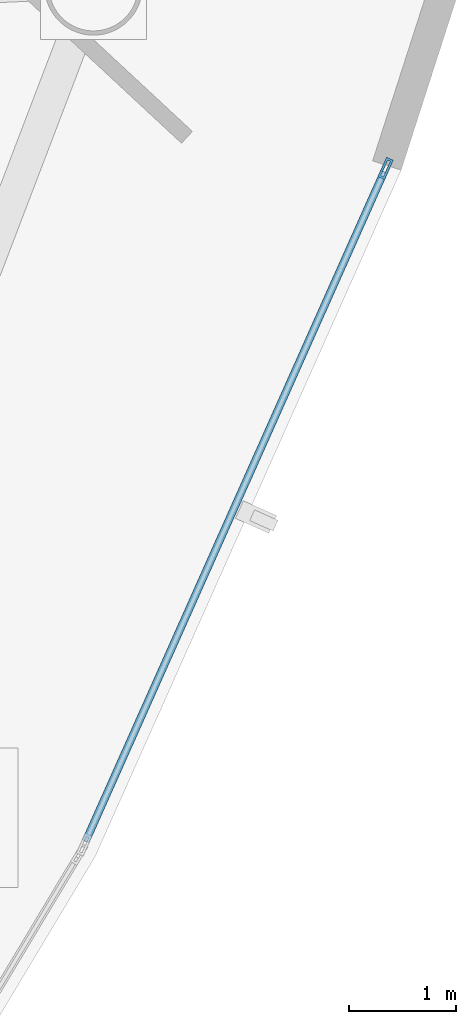
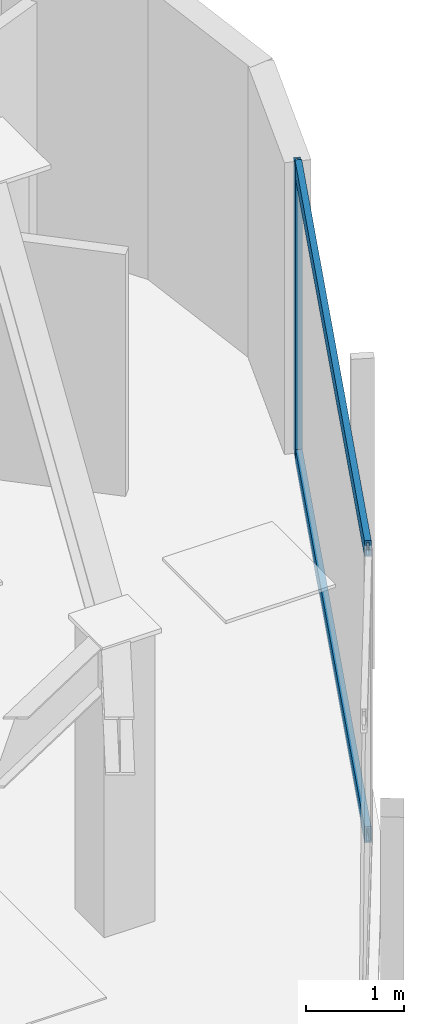
# One storey, part 5 of 13: 3 members, 1 element without a shape of its own.
"""IFC4 building model written with IfcOpenShell, lengths in metres."""

from ifc_helpers import new_model, si_unit, direction, frame, origin, origin_2d, place, context, subcontext, project, spatial, hollow_rectangle, extrude, source, transform, mapped, material, layer, layer_set, material_profile, profile_set, type_object, type_shapes, element, aggregate, save


model = new_model("IFC4")

# Units and contexts
model_context = context("Model", 3, precision=1e-05, world=origin(), true_north=direction((0.0, 1.0)))
body_context = subcontext(model_context, "Body", "Model", "MODEL_VIEW")
ifc_project = project(units=[si_unit("LENGTHUNIT", "METRE"), si_unit("AREAUNIT", "SQUARE_METRE"), si_unit("VOLUMEUNIT", "CUBIC_METRE"), si_unit("PLANEANGLEUNIT", "RADIAN"), si_unit("MASSUNIT", "GRAM", prefix="KILO")], contexts=[model_context])

# Site, building, storey
site_placement = place(None, origin())
site = spatial("IfcSite", under=ifc_project, at=site_placement, CompositionType="ELEMENT")
building_placement = place(site_placement, origin())
building = spatial("IfcBuilding", under=site, at=building_placement, Name="Tavelor Broadcast Tower", CompositionType="ELEMENT")
storey_placement = place(building_placement, frame((0.0, 0.0, 245.85009765625)))
storey = spatial("IfcBuildingStorey", under=building, at=storey_placement, Name="L58", CompositionType="ELEMENT", Elevation=245.85009765625)

# Curtain wall, members
ifc_material = material(Name="Architectural Anodized Aluminium", Category="aluminium")
ifc_layer = layer(ifc_material, 0.199951171875)
ifc_layer_set = layer_set([ifc_layer], Name="Architectural Anodized Aluminium")
curtain_wall_type = type_object("IfcCurtainWallType", Name="Tower High-Zone Triple-Glazed Curtain Wall CW04", PredefinedType="NOTDEFINED", material=ifc_layer_set)
curtain_wall_placement = place(storey_placement, origin())
curtain_wall = element("IfcCurtainWall", 1, at=curtain_wall_placement, inside=storey, type_object=curtain_wall_type, Name="L58 Curtain Wall CW04 Run 632", PredefinedType="NOTDEFINED")
ifc_material_profile_1 = material_profile(ifc_material, hollow_rectangle(XDim=0.070068359375, YDim=0.199951171875, WallThickness=0.02197265625, at=origin_2d()), Name="RHS 70x200x22")
ifc_profile_set_1 = profile_set([ifc_material_profile_1], Name="Architectural Anodized Aluminium")
member_type_1 = type_object("IfcMemberType", Name="CW04 Extruded Aluminium Mullion 70x200", PredefinedType="MULLION", material=ifc_profile_set_1)
shared_shape_1 = source(origin(), body_context, "Body", "SweptSolid", [
    extrude(hollow_rectangle(XDim=0.070068359375, YDim=0.199951171875, WallThickness=0.02197265625, at=origin_2d()), origin(), (0.0, 0.0, 1.0), 3.64990234375),
])
type_shapes(member_type_1, [shared_shape_1])
member_1_placement = place(storey_placement, frame((71.6474609375, 50.097412109375, 0.0), z_axis=(0.0, 0.0, 1.0), x_axis=(-0.913373033087, 0.407123694261, 0.0)))
member_1 = element("IfcMember", 2, at=member_1_placement, type_object=member_type_1, Name="CW04 mullion 2", PredefinedType="MULLION", context=body_context, shape_type="MappedRepresentation", body=[
    mapped(shared_shape_1, transform((0.0, 0.0, 0.0), scale=1.0)),
])
ifc_material_profile_2 = material_profile(ifc_material, hollow_rectangle(XDim=0.070068359375, YDim=0.199951171875, WallThickness=0.02197265625, at=origin_2d()), Name="RHS 70x200x22")
ifc_profile_set_2 = profile_set([ifc_material_profile_2], Name="Architectural Anodized Aluminium")
member_type_2 = type_object("IfcMemberType", Name="CW04 Extruded Aluminium Transom 70x200", PredefinedType="USERDEFINED", material=ifc_profile_set_2)
shared_shape_2 = source(origin(), body_context, "Body", "SweptSolid", [
    extrude(hollow_rectangle(XDim=0.070068359375, YDim=0.199951171875, WallThickness=0.02197265625, at=origin_2d()), origin(), (0.0, 0.0, 1.0), 6.845947265625),
])
type_shapes(member_type_2, [shared_shape_2])
member_2_placement = place(storey_placement, frame((68.84619140625, 43.8125, 0.034912109375), z_axis=(0.40711765163, 0.913375726485, 0.0), x_axis=(-0.913375726485, 0.40711765163, 0.0)))
member_2 = element("IfcMember", 3, at=member_2_placement, type_object=member_type_2, Name="CW04 transom 1.1", ObjectType="TRANSOM", PredefinedType="USERDEFINED", context=body_context, shape_type="MappedRepresentation", body=[
    mapped(shared_shape_2, transform((0.0, 0.0, 0.0), scale=1.0)),
])
member_3_placement = place(storey_placement, frame((68.84619140625, 43.8125, 3.614990234375), z_axis=(0.40711765163, 0.913375726485, 0.0), x_axis=(-0.913375726485, 0.40711765163, 0.0)))
member_3 = element("IfcMember", 4, at=member_3_placement, type_object=member_type_2, Name="CW04 transom 1.2", ObjectType="TRANSOM", PredefinedType="USERDEFINED", context=body_context, shape_type="MappedRepresentation", body=[
    mapped(shared_shape_2, transform((0.0, 0.0, 0.0), scale=1.0)),
])
aggregate(curtain_wall, [member_1, member_2, member_3])

save(model, "model.ifc")
